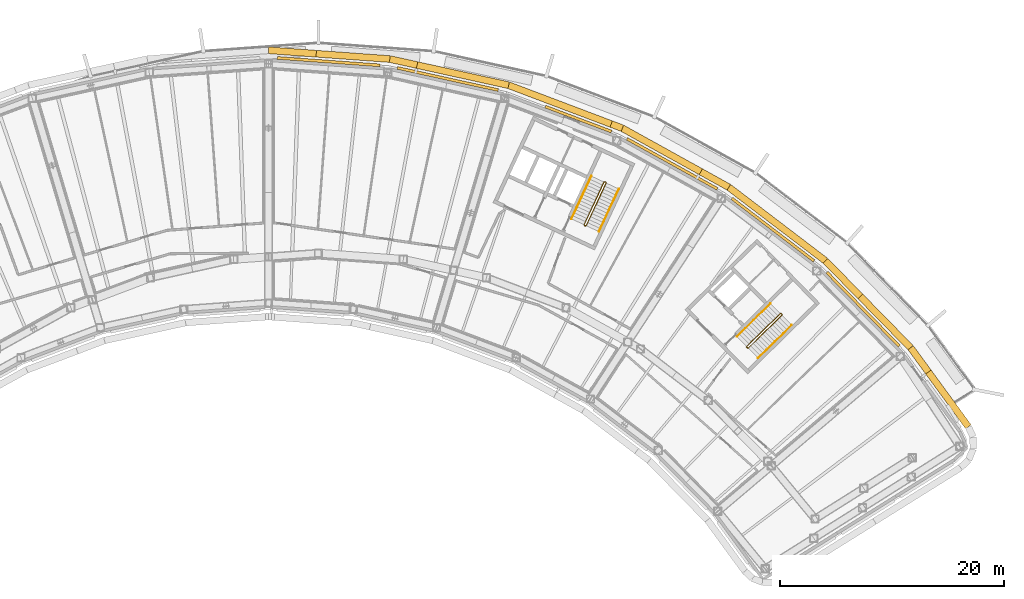
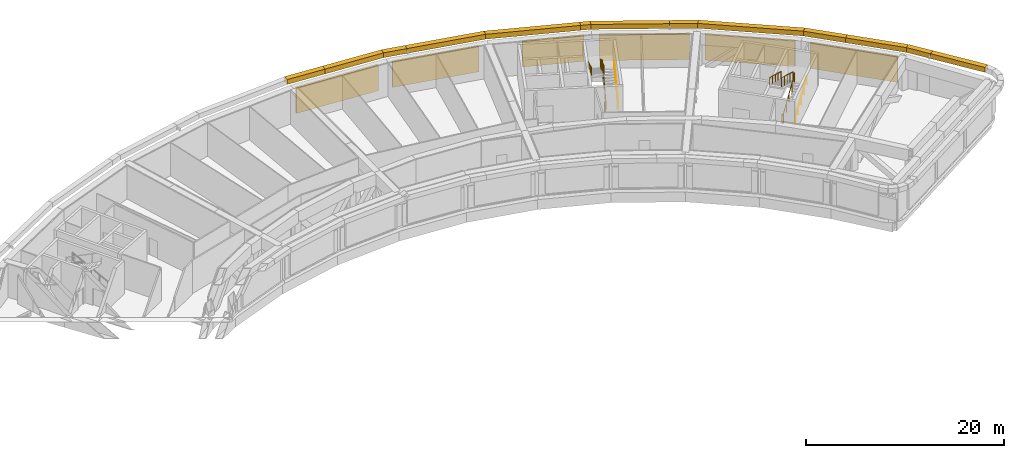
# One storey, part 23 of 25: 13 coverings, 6 railings, 6 shading devices.
"""IFC4 building model written with IfcOpenShell, lengths in metres."""

from ifc_helpers import new_model, si_unit, direction, frame, origin, origin_2d, place, context, subcontext, project, spatial, rectangle, circle, extrude, material, material_profile, profile_set, type_object, element, save


model = new_model("IFC4")

# Units and contexts
model_context = context("Model", 3, precision=1e-05, world=origin(), true_north=direction((0.0, 1.0)))
body_context = subcontext(model_context, "Body", "Model", "MODEL_VIEW")
ifc_project = project(units=[si_unit("LENGTHUNIT", "METRE"), si_unit("AREAUNIT", "SQUARE_METRE"), si_unit("VOLUMEUNIT", "CUBIC_METRE"), si_unit("PLANEANGLEUNIT", "RADIAN"), si_unit("MASSUNIT", "GRAM", prefix="KILO")], contexts=[model_context])

# Site, building, storey
site_placement = place(None, origin())
site = spatial("IfcSite", under=ifc_project, at=site_placement, CompositionType="ELEMENT")
building_placement = place(site_placement, origin())
building = spatial("IfcBuilding", under=site, at=building_placement, Name="Tuul Gate Civic Tower", CompositionType="ELEMENT")
storey_placement = place(building_placement, frame((0.0, 0.0, 133.699951171875)))
storey = spatial("IfcBuildingStorey", under=building, at=storey_placement, Name="Plant and refuge floor 4", CompositionType="ELEMENT", Elevation=133.699951171875)

# Shading devices
ifc_material_1 = material(Name="Aluminium louvre", Category="aluminium")
shading_device_type = type_object("IfcShadingDeviceType", Name="Louvre panel", PredefinedType="USERDEFINED", material=ifc_material_1)
for number, where, z_axis, x_axis, name in (
    (1, (58.419189453125, -12.6689453125, 0.300048828125), (0.0, 0.0, 1.0), (0.714100212908, 0.700043488595, 0.0), "Louvre panel"),
    (2, (50.372314453125, -5.567626953125, 0.300048828125), (0.0, 0.0, 1.0), (0.605807600786, 0.795611180684, 0.0), "Louvre panel"),
    (3, (41.385498046875, 0.30029296875, 0.300048828125), (0.0, 0.0, 1.0), (0.48478912347, 0.874631068374, 0.0), "Louvre panel"),
):
    element("IfcShadingDevice", number, at=place(storey_placement, frame(where, z_axis=z_axis, x_axis=x_axis)), inside=storey, type_object=shading_device_type, Name=name, ObjectType="LOUVRE", PredefinedType="USERDEFINED", context=body_context, shape_type="SweptSolid", body=[
        extrude(rectangle(XDim=0.25, YDim=9.199951171875, at=origin_2d()), origin(), (0.0, 0.0, 1.0), 3.14990234375),
    ])
shading_device_placement = place(storey_placement, frame((33.02001953125, 4.292724609375, 0.300048828125), z_axis=(0.0, 0.0, 1.0), x_axis=(0.35373363489, 0.935346200905, 0.0)))
element("IfcShadingDevice", 4, at=shading_device_placement, inside=storey, type_object=shading_device_type, Name="Louvre panel", ObjectType="LOUVRE", PredefinedType="USERDEFINED", context=body_context, shape_type="SweptSolid", body=[
    extrude(rectangle(XDim=0.25, YDim=6.300048828125, at=origin_2d()), origin(), (0.0, 0.0, 1.0), 3.14990234375),
])
for number, where, z_axis, x_axis, name in (
    (5, (21.3603515625, 7.873046875, 0.300048828125), (0.0, 0.0, 1.0), (0.215215147882, 0.976566659334, 0.0), "Louvre panel"),
    (6, (10.739990234375, 9.419677734375, 0.300048828125), (0.0, 0.0, 1.0), (0.07223936563, 0.997387323989, 0.0), "Louvre panel"),
):
    element("IfcShadingDevice", number, at=place(storey_placement, frame(where, z_axis=z_axis, x_axis=x_axis)), inside=storey, type_object=shading_device_type, Name=name, ObjectType="LOUVRE", PredefinedType="USERDEFINED", context=body_context, shape_type="SweptSolid", body=[
        extrude(rectangle(XDim=0.25, YDim=9.199951171875, at=origin_2d()), origin(), (0.0, 0.0, 1.0), 3.14990234375),
    ])

# Railings
ifc_material_2 = material(Name="Painted steel", Category="steel")
railing_type_1 = type_object("IfcRailingType", Name="Stair guard", PredefinedType="GUARDRAIL", material=ifc_material_2)
railing_1_placement = place(storey_placement, frame((48.10546875, -16.134765625, 0.0)))
element("IfcRailing", 7, at=railing_1_placement, inside=storey, type_object=railing_type_1, Name="Plant and refuge floor 4 ST-3 stair guard 1", PredefinedType="GUARDRAIL", context=body_context, shape_type="SweptSolid", body=[
    extrude(circle(Radius=0.02392578125, at=origin_2d()), frame((0.0, 0.0, 1.076171875), z_axis=(-0.698506948293, 0.715603272202, 0.0), x_axis=(-0.715603272202, -0.698506948293, 0.0)), (0.0, 0.0, 1.0), 0.099853515625),
    extrude(circle(Radius=0.02392578125, at=origin_2d()), frame((-0.06982421875, 0.071533203125, 1.076171875), z_axis=(0.644948864628, -0.331432055434, 0.688617277337), x_axis=(0.457068866502, 0.889431307788, 0.0)), (0.0, 0.0, 1.0), 0.218017578125),
    extrude(circle(Radius=0.02392578125, at=origin_2d()), frame((0.07080078125, -0.000732421875, 1.22607421875), z_axis=(0.63872519735, 0.62614306485, 0.44718562657), x_axis=(-0.700038283577, 0.714105315431, 0.0)), (0.0, 0.0, 1.0), 4.69580078125),
    extrude(circle(Radius=0.02392578125, at=origin_2d()), frame((3.070068359375, 2.939453125, 3.326171875), z_axis=(0.010380063588, 0.999946125689, 0.0), x_axis=(-0.999946125689, 0.010380063588, 0.0)), (0.0, 0.0, 1.0), 0.070556640625),
    extrude(circle(Radius=0.02392578125, at=origin_2d()), frame((3.07080078125, 3.010009765625, 3.326171875), z_axis=(-0.699754442181, 0.714383454909, 0.0), x_axis=(-0.714383454909, -0.699754442181, 0.0)), (0.0, 0.0, 1.0), 0.10009765625),
    extrude(circle(Radius=0.02392578125, at=origin_2d()), frame((3.000732421875, 3.08154296875, 3.326171875), z_axis=(-0.425296725904, 0.004414844906, 0.905043205643), x_axis=(-0.010380063588, -0.999946125689, 0.0)), (0.0, 0.0, 1.0), 0.166015625),
    extrude(circle(Radius=0.02392578125, at=origin_2d()), frame((2.93017578125, 3.082275390625, 3.47607421875), z_axis=(-0.638755976814, -0.626122271592, 0.447170776215), x_axis=(0.700009225839, -0.714133799606, 0.0)), (0.0, 0.0, 1.0), 4.69580078125),
    extrude(circle(Radius=0.02099609375, at=origin_2d()), origin(), (0.0, 0.0, 1.0), 1.052001953125),
    extrude(circle(Radius=0.02099609375, at=origin_2d()), frame((-0.06982421875, 0.071533203125, 0.0)), (0.0, 0.0, 1.0), 1.052001953125),
    extrude(circle(Radius=0.02099609375, at=origin_2d()), frame((0.07080078125, -0.000732421875, 0.150146484375)), (0.0, 0.0, 1.0), 1.052001953125),
    extrude(circle(Radius=0.02099609375, at=origin_2d()), frame((0.820556640625, 0.734375, 0.675048828125)), (0.0, 0.0, 1.0), 1.052001953125),
    extrude(circle(Radius=0.02099609375, at=origin_2d()), frame((1.5703125, 1.46923828125, 1.2001953125)), (0.0, 0.0, 1.0), 1.052001953125),
    extrude(circle(Radius=0.02099609375, at=origin_2d()), frame((2.3203125, 2.204345703125, 1.72509765625)), (0.0, 0.0, 1.0), 1.052001953125),
    extrude(circle(Radius=0.02099609375, at=origin_2d()), frame((3.070068359375, 2.939453125, 2.25)), (0.0, 0.0, 1.0), 1.052001953125),
    extrude(circle(Radius=0.02099609375, at=origin_2d()), frame((3.07080078125, 3.010009765625, 2.25)), (0.0, 0.0, 1.0), 1.052001953125),
    extrude(circle(Radius=0.02099609375, at=origin_2d()), frame((3.000732421875, 3.08154296875, 2.25)), (0.0, 0.0, 1.0), 1.052001953125),
    extrude(circle(Radius=0.02099609375, at=origin_2d()), frame((2.93017578125, 3.082275390625, 2.400146484375)), (0.0, 0.0, 1.0), 1.052001953125),
    extrude(circle(Radius=0.02099609375, at=origin_2d()), frame((2.18017578125, 2.34716796875, 2.925048828125)), (0.0, 0.0, 1.0), 1.052001953125),
    extrude(circle(Radius=0.02099609375, at=origin_2d()), frame((1.430419921875, 1.6123046875, 3.4501953125)), (0.0, 0.0, 1.0), 1.052001953125),
    extrude(circle(Radius=0.02099609375, at=origin_2d()), frame((0.6806640625, 0.877197265625, 3.97509765625)), (0.0, 0.0, 1.0), 1.052001953125),
    extrude(circle(Radius=0.02099609375, at=origin_2d()), frame((-0.0693359375, 0.14208984375, 4.5)), (0.0, 0.0, 1.0), 1.052001953125),
])
railing_2_placement = place(storey_placement, frame((33.645751953125, -5.238525390625, 0.0)))
element("IfcRailing", 8, at=railing_2_placement, inside=storey, type_object=railing_type_1, Name="Plant and refuge floor 4 ST-4 stair guard 1", PredefinedType="GUARDRAIL", context=body_context, shape_type="SweptSolid", body=[
    extrude(circle(Radius=0.02392578125, at=origin_2d()), frame((0.0, 0.0, 1.076171875), z_axis=(-0.906307919131, 0.422617978463, 0.0), x_axis=(-0.422617978463, -0.906307919131, 0.0)), (0.0, 0.0, 1.0), 0.099853515625),
    extrude(circle(Radius=0.02392578125, at=origin_2d()), frame((-0.090576171875, 0.042236328125, 1.076171875), z_axis=(0.720179819621, -0.082882280952, 0.688818956559), x_axis=(0.114330889033, 0.993442724979, 0.0)), (0.0, 0.0, 1.0), 0.218017578125),
    extrude(circle(Radius=0.02392578125, at=origin_2d()), frame((0.06640625, 0.024169921875, 1.22607421875), z_axis=(0.377979662676, 0.810654594284, 0.447180616049), x_axis=(-0.906322681284, 0.422586319455, 0.0)), (0.0, 0.0, 1.0), 4.69580078125),
    extrude(circle(Radius=0.02392578125, at=origin_2d()), frame((1.84130859375, 3.830810546875, 3.326171875), z_axis=(-0.342020437038, 0.939692513883, 0.0), x_axis=(-0.939692513883, -0.342020437038, 0.0)), (0.0, 0.0, 1.0), 0.070556640625),
    extrude(circle(Radius=0.02392578125, at=origin_2d()), frame((1.817138671875, 3.897216796875, 3.326171875), z_axis=(-0.906742786819, 0.421684145483, 0.0), x_axis=(-0.421684145483, -0.906742786819, 0.0)), (0.0, 0.0, 1.0), 0.10009765625),
    extrude(circle(Radius=0.02392578125, at=origin_2d()), frame((1.726318359375, 3.939453125, 3.326171875), z_axis=(-0.400168791901, -0.145649670582, 0.904793408159), x_axis=(0.342020437038, -0.939692513883, 0.0)), (0.0, 0.0, 1.0), 0.166015625),
    extrude(circle(Radius=0.02392578125, at=origin_2d()), frame((1.659912109375, 3.915283203125, 3.47607421875), z_axis=(-0.377935097645, -0.810670524484, 0.44718940361), x_axis=(0.906344943348, -0.422538570626, 0.0)), (0.0, 0.0, 1.0), 4.695556640625),
    extrude(circle(Radius=0.02099609375, at=origin_2d()), origin(), (0.0, 0.0, 1.0), 1.052001953125),
    extrude(circle(Radius=0.02099609375, at=origin_2d()), frame((-0.090576171875, 0.042236328125, 0.0)), (0.0, 0.0, 1.0), 1.052001953125),
    extrude(circle(Radius=0.02099609375, at=origin_2d()), frame((0.06640625, 0.024169921875, 0.150146484375)), (0.0, 0.0, 1.0), 1.052001953125),
    extrude(circle(Radius=0.02099609375, at=origin_2d()), frame((0.51025390625, 0.975830078125, 0.675048828125)), (0.0, 0.0, 1.0), 1.052001953125),
    extrude(circle(Radius=0.02099609375, at=origin_2d()), frame((0.953857421875, 1.927490234375, 1.2001953125)), (0.0, 0.0, 1.0), 1.052001953125),
    extrude(circle(Radius=0.02099609375, at=origin_2d()), frame((1.3974609375, 2.879150390625, 1.72509765625)), (0.0, 0.0, 1.0), 1.052001953125),
    extrude(circle(Radius=0.02099609375, at=origin_2d()), frame((1.84130859375, 3.830810546875, 2.25)), (0.0, 0.0, 1.0), 1.052001953125),
    extrude(circle(Radius=0.02099609375, at=origin_2d()), frame((1.817138671875, 3.897216796875, 2.25)), (0.0, 0.0, 1.0), 1.052001953125),
    extrude(circle(Radius=0.02099609375, at=origin_2d()), frame((1.726318359375, 3.939453125, 2.25)), (0.0, 0.0, 1.0), 1.052001953125),
    extrude(circle(Radius=0.02099609375, at=origin_2d()), frame((1.659912109375, 3.915283203125, 2.400146484375)), (0.0, 0.0, 1.0), 1.052001953125),
    extrude(circle(Radius=0.02099609375, at=origin_2d()), frame((1.21630859375, 2.963623046875, 2.925048828125)), (0.0, 0.0, 1.0), 1.052001953125),
    extrude(circle(Radius=0.02099609375, at=origin_2d()), frame((0.7724609375, 2.011962890625, 3.4501953125)), (0.0, 0.0, 1.0), 1.052001953125),
    extrude(circle(Radius=0.02099609375, at=origin_2d()), frame((0.328857421875, 1.060302734375, 3.97509765625)), (0.0, 0.0, 1.0), 1.052001953125),
    extrude(circle(Radius=0.02099609375, at=origin_2d()), frame((-0.11474609375, 0.108642578125, 4.5)), (0.0, 0.0, 1.0), 1.052001953125),
])
ifc_material_3 = material(Name="Painted steel", Category="steel")
railing_type_2 = type_object("IfcRailingType", Name="Stair handrail", PredefinedType="HANDRAIL", material=ifc_material_3)
railing_3_placement = place(storey_placement, frame((49.05126953125, -17.028076171875, 0.150146484375)))
element("IfcRailing", 9, at=railing_3_placement, inside=storey, type_object=railing_type_2, Name="Plant and refuge floor 4 ST-3 stair handrail 1", PredefinedType="HANDRAIL", context=body_context, shape_type="SweptSolid", body=[
    extrude(circle(Radius=0.02392578125, at=origin_2d()), frame((0.0, 0.0, 0.8759765625), z_axis=(0.63872519735, 0.62614306485, 0.44718562657), x_axis=(-0.700038283577, 0.714105315431, 0.0)), (0.0, 0.0, 1.0), 4.69580078125),
    extrude(circle(Radius=0.02099609375, at=origin_2d()), origin(), (0.0, 0.0, 1.0), 0.851806640625),
    extrude(circle(Radius=0.02099609375, at=origin_2d()), frame((0.749755859375, 0.735107421875, 0.52490234375)), (0.0, 0.0, 1.0), 0.851806640625),
    extrude(circle(Radius=0.02099609375, at=origin_2d()), frame((1.49951171875, 1.47021484375, 1.0498046875)), (0.0, 0.0, 1.0), 0.851806640625),
    extrude(circle(Radius=0.02099609375, at=origin_2d()), frame((2.24951171875, 2.205078125, 1.574951171875)), (0.0, 0.0, 1.0), 0.851806640625),
    extrude(circle(Radius=0.02099609375, at=origin_2d()), frame((2.999267578125, 2.940185546875, 2.099853515625)), (0.0, 0.0, 1.0), 0.851806640625),
])
railing_4_placement = place(storey_placement, frame((50.16064453125, -12.159912109375, 2.400146484375)))
element("IfcRailing", 10, at=railing_4_placement, inside=storey, type_object=railing_type_2, Name="Plant and refuge floor 4 ST-3 stair handrail 2", PredefinedType="HANDRAIL", context=body_context, shape_type="SweptSolid", body=[
    extrude(circle(Radius=0.02392578125, at=origin_2d()), frame((0.0, 0.0, 0.8759765625), z_axis=(-0.638776770035, -0.626090661303, 0.447185332824), x_axis=(0.699979580613, -0.714162857284, 0.0)), (0.0, 0.0, 1.0), 4.69580078125),
    extrude(circle(Radius=0.02099609375, at=origin_2d()), origin(), (0.0, 0.0, 1.0), 0.851806640625),
    extrude(circle(Radius=0.02099609375, at=origin_2d()), frame((-0.75, -0.73486328125, 0.52490234375)), (0.0, 0.0, 1.0), 0.851806640625),
    extrude(circle(Radius=0.02099609375, at=origin_2d()), frame((-1.499755859375, -1.469970703125, 1.0498046875)), (0.0, 0.0, 1.0), 0.851806640625),
    extrude(circle(Radius=0.02099609375, at=origin_2d()), frame((-2.24951171875, -2.205078125, 1.574951171875)), (0.0, 0.0, 1.0), 0.851806640625),
    extrude(circle(Radius=0.02099609375, at=origin_2d()), frame((-2.99951171875, -2.93994140625, 2.099853515625)), (0.0, 0.0, 1.0), 0.851806640625),
])
railing_5_placement = place(storey_placement, frame((34.844970703125, -5.74267578125, 0.150146484375)))
element("IfcRailing", 11, at=railing_5_placement, inside=storey, type_object=railing_type_2, Name="Plant and refuge floor 4 ST-4 stair handrail 1", PredefinedType="HANDRAIL", context=body_context, shape_type="SweptSolid", body=[
    extrude(circle(Radius=0.02392578125, at=origin_2d()), frame((0.0, 0.0, 0.8759765625), z_axis=(0.377979662676, 0.810654594284, 0.447180616049), x_axis=(-0.906322681284, 0.422586319455, 0.0)), (0.0, 0.0, 1.0), 4.69580078125),
    extrude(circle(Radius=0.02099609375, at=origin_2d()), origin(), (0.0, 0.0, 1.0), 0.851806640625),
    extrude(circle(Radius=0.02099609375, at=origin_2d()), frame((0.44384765625, 0.95166015625, 0.52490234375)), (0.0, 0.0, 1.0), 0.851806640625),
    extrude(circle(Radius=0.02099609375, at=origin_2d()), frame((0.887451171875, 1.9033203125, 1.0498046875)), (0.0, 0.0, 1.0), 0.851806640625),
    extrude(circle(Radius=0.02099609375, at=origin_2d()), frame((1.3310546875, 2.85498046875, 1.574951171875)), (0.0, 0.0, 1.0), 0.851806640625),
    extrude(circle(Radius=0.02099609375, at=origin_2d()), frame((1.77490234375, 3.806640625, 2.099853515625)), (0.0, 0.0, 1.0), 0.851806640625),
])
railing_6_placement = place(storey_placement, frame((34.1728515625, -0.795166015625, 2.400146484375)))
element("IfcRailing", 12, at=railing_6_placement, inside=storey, type_object=railing_type_2, Name="Plant and refuge floor 4 ST-4 stair handrail 2", PredefinedType="HANDRAIL", context=body_context, shape_type="SweptSolid", body=[
    extrude(circle(Radius=0.02392578125, at=origin_2d()), frame((0.0, 0.0, 0.8759765625), z_axis=(-0.377995593999, -0.810636768368, 0.447199464097), x_axis=(0.906312300116, -0.422608583275, 0.0)), (0.0, 0.0, 1.0), 4.695556640625),
    extrude(circle(Radius=0.02099609375, at=origin_2d()), origin(), (0.0, 0.0, 1.0), 0.851806640625),
    extrude(circle(Radius=0.02099609375, at=origin_2d()), frame((-0.44384765625, -0.95166015625, 0.52490234375)), (0.0, 0.0, 1.0), 0.851806640625),
    extrude(circle(Radius=0.02099609375, at=origin_2d()), frame((-0.887451171875, -1.9033203125, 1.0498046875)), (0.0, 0.0, 1.0), 0.851806640625),
    extrude(circle(Radius=0.02099609375, at=origin_2d()), frame((-1.3310546875, -2.854736328125, 1.574951171875)), (0.0, 0.0, 1.0), 0.851806640625),
    extrude(circle(Radius=0.02099609375, at=origin_2d()), frame((-1.77490234375, -3.806396484375, 2.099853515625)), (0.0, 0.0, 1.0), 0.851806640625),
])

# Coverings
ifc_material_4 = material(Name="Terracotta baguette", Category="masonry")
ifc_material_profile = material_profile(ifc_material_4, rectangle(XDim=0.60009765625, YDim=0.60009765625, at=origin_2d()), Name="Terracotta baguette screen frame")
ifc_profile_set = profile_set([ifc_material_profile], Name="Terracotta baguette")
covering_type = type_object("IfcCoveringType", Name="Terracotta baguette screen frame", PredefinedType="CLADDING", material=ifc_profile_set)
covering_1_placement = place(storey_placement, frame((64.24462890625, -18.270751953125, 4.150146484375), z_axis=(-0.58975169847, 0.807584629715, 0.0), x_axis=(-0.807584629715, -0.58975169847, 0.0)))
element("IfcCovering", 13, at=covering_1_placement, inside=storey, type_object=covering_type, Name="Baguette 21", PredefinedType="CLADDING", context=body_context, shape_type="SweptSolid", body=[
    extrude(rectangle(XDim=0.60009765625, YDim=0.60009765625, at=origin_2d()), origin(), (0.0, 0.0, 1.0), 2.680908203125),
])
covering_2_placement = place(storey_placement, frame((62.66357421875, -16.105712890625, 4.150146484375), z_axis=(-0.700039399016, 0.714104221963, 0.0), x_axis=(-0.714104221963, -0.700039399016, 0.0)))
element("IfcCovering", 14, at=covering_2_placement, inside=storey, type_object=covering_type, Name="Baguette 22", PredefinedType="CLADDING", context=body_context, shape_type="SweptSolid", body=[
    extrude(rectangle(XDim=0.60009765625, YDim=0.60009765625, at=origin_2d()), origin(), (0.0, 0.0, 1.0), 6.4052734375),
])
covering_3_placement = place(storey_placement, frame((43.943115234375, -0.402587890625, 4.150146484375), z_axis=(-0.874634570388, 0.484782805267, 0.0), x_axis=(-0.484782805267, -0.874634570388, 0.0)))
element("IfcCovering", 15, at=covering_3_placement, inside=storey, type_object=covering_type, Name="Baguette 45", PredefinedType="CLADDING", context=body_context, shape_type="SweptSolid", body=[
    extrude(rectangle(XDim=0.60009765625, YDim=0.60009765625, at=origin_2d()), origin(), (0.0, 0.0, 1.0), 8.00341796875),
])
covering_4_placement = place(storey_placement, frame((36.943115234375, 3.477294921875, 4.150146484375), z_axis=(-0.935349569551, 0.353724727352, 0.0), x_axis=(-0.353724727352, -0.935349569551, 0.0)))
element("IfcCovering", 16, at=covering_4_placement, inside=storey, type_object=covering_type, Name="Baguette 46", PredefinedType="CLADDING", context=body_context, shape_type="SweptSolid", body=[
    extrude(rectangle(XDim=0.60009765625, YDim=0.60009765625, at=origin_2d()), origin(), (0.0, 0.0, 1.0), 1.069091796875),
])
covering_5_placement = place(storey_placement, frame((18.626708984375, 9.115478515625, 4.150146484375), z_axis=(-0.976564116236, 0.215226687194, 0.0), x_axis=(-0.215226687194, -0.976564116236, 0.0)))
element("IfcCovering", 17, at=covering_5_placement, inside=storey, type_object=covering_type, Name="Baguette 63", PredefinedType="CLADDING", context=body_context, shape_type="SweptSolid", body=[
    extrude(rectangle(XDim=0.60009765625, YDim=0.60009765625, at=origin_2d()), origin(), (0.0, 0.0, 1.0), 2.48876953125),
])
covering_6_placement = place(storey_placement, frame((16.1962890625, 9.651123046875, 4.150146484375), z_axis=(-0.997387623225, 0.072235234043, 0.0), x_axis=(-0.072235234043, -0.997387623225, 0.0)))
element("IfcCovering", 18, at=covering_6_placement, inside=storey, type_object=covering_type, Name="Baguette 64", PredefinedType="CLADDING", context=body_context, shape_type="SweptSolid", body=[
    extrude(rectangle(XDim=0.60009765625, YDim=0.60009765625, at=origin_2d()), origin(), (0.0, 0.0, 1.0), 6.583740234375),
])
covering_7_placement = place(storey_placement, frame((58.1796875, -11.53173828125, 4.150146484375), z_axis=(-0.700042309404, 0.714101368885, 0.0), x_axis=(-0.714101368885, -0.700042309404, 0.0)))
element("IfcCovering", 19, at=covering_7_placement, inside=storey, type_object=covering_type, Name="Baguette 381", PredefinedType="CLADDING", context=body_context, shape_type="SweptSolid", body=[
    extrude(rectangle(XDim=0.60009765625, YDim=0.60009765625, at=origin_2d()), origin(), (0.0, 0.0, 1.0), 4.445556640625),
])
covering_8_placement = place(storey_placement, frame((55.067626953125, -8.357177734375, 4.150146484375), z_axis=(-0.795618643442, 0.605797799771, 0.0), x_axis=(-0.605797799771, -0.795618643442, 0.0)))
element("IfcCovering", 20, at=covering_8_placement, inside=storey, type_object=covering_type, Name="Baguette 382", PredefinedType="CLADDING", context=body_context, shape_type="SweptSolid", body=[
    extrude(rectangle(XDim=0.60009765625, YDim=0.60009765625, at=origin_2d()), origin(), (0.0, 0.0, 1.0), 10.851318359375),
])
covering_9_placement = place(storey_placement, frame((46.43408203125, -1.783447265625, 4.150146484375), z_axis=(-0.874605722135, 0.484834849005, 0.0), x_axis=(-0.484834849005, -0.874605722135, 0.0)))
element("IfcCovering", 21, at=covering_9_placement, inside=storey, type_object=covering_type, Name="Baguette 383", PredefinedType="CLADDING", context=body_context, shape_type="SweptSolid", body=[
    extrude(rectangle(XDim=0.60009765625, YDim=0.60009765625, at=origin_2d()), origin(), (0.0, 0.0, 1.0), 2.84814453125),
])
covering_10_placement = place(storey_placement, frame((35.943115234375, 3.85546875, 4.150146484375), z_axis=(-0.935348087792, 0.353728645523, 0.0), x_axis=(-0.353728645523, -0.935348087792, 0.0)))
element("IfcCovering", 22, at=covering_10_placement, inside=storey, type_object=covering_type, Name="Baguette 384", PredefinedType="CLADDING", context=body_context, shape_type="SweptSolid", body=[
    extrude(rectangle(XDim=0.60009765625, YDim=0.60009765625, at=origin_2d()), origin(), (0.0, 0.0, 1.0), 9.781982421875),
])
covering_11_placement = place(storey_placement, frame((26.79345703125, 7.315673828125, 4.150146484375), z_axis=(-0.976566109565, 0.215217642513, 0.0), x_axis=(-0.215217642513, -0.976566109565, 0.0)))
element("IfcCovering", 23, at=covering_11_placement, inside=storey, type_object=covering_type, Name="Baguette 385", PredefinedType="CLADDING", context=body_context, shape_type="SweptSolid", body=[
    extrude(rectangle(XDim=0.60009765625, YDim=0.60009765625, at=origin_2d()), origin(), (0.0, 0.0, 1.0), 8.36279296875),
])
covering_12_placement = place(storey_placement, frame((9.629638671875, 10.126708984375, 4.150146484375), z_axis=(-0.997385274181, 0.072267661138, 0.0), x_axis=(-0.072267661138, -0.997385274181, 0.0)))
element("IfcCovering", 24, at=covering_12_placement, inside=storey, type_object=covering_type, Name="Baguette 386", PredefinedType="CLADDING", context=body_context, shape_type="SweptSolid", body=[
    extrude(rectangle(XDim=0.60009765625, YDim=0.60009765625, at=origin_2d()), origin(), (0.0, 0.0, 1.0), 4.266845703125),
])
covering_13_placement = place(storey_placement, frame((67.815185546875, -23.159912109375, 4.150146484375), z_axis=(-0.589769860681, 0.807571366154, 0.0), x_axis=(-0.807571366154, -0.589769860681, 0.0)))
element("IfcCovering", 25, at=covering_13_placement, inside=storey, type_object=covering_type, Name="Baguette 418", PredefinedType="CLADDING", context=body_context, shape_type="SweptSolid", body=[
    extrude(rectangle(XDim=0.60009765625, YDim=0.60009765625, at=origin_2d()), origin(), (0.0, 0.0, 1.0), 6.05419921875),
])

save(model, "model.ifc")
